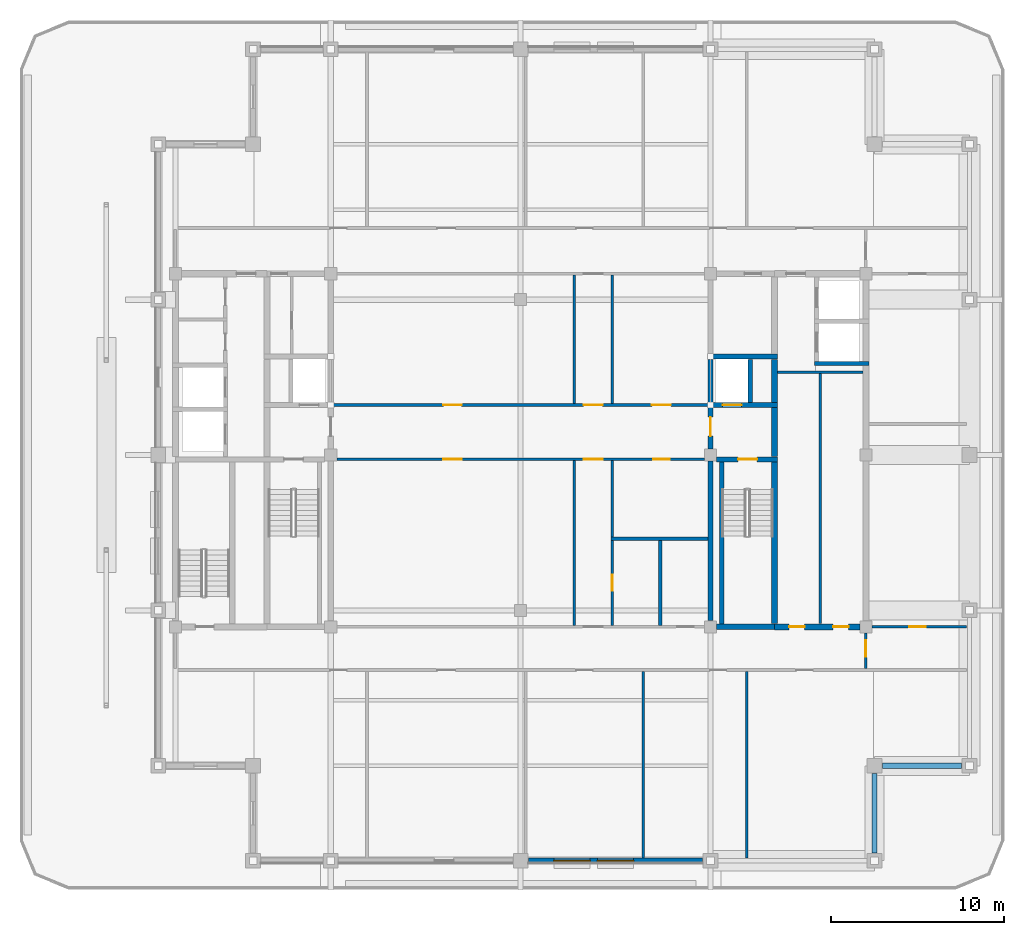
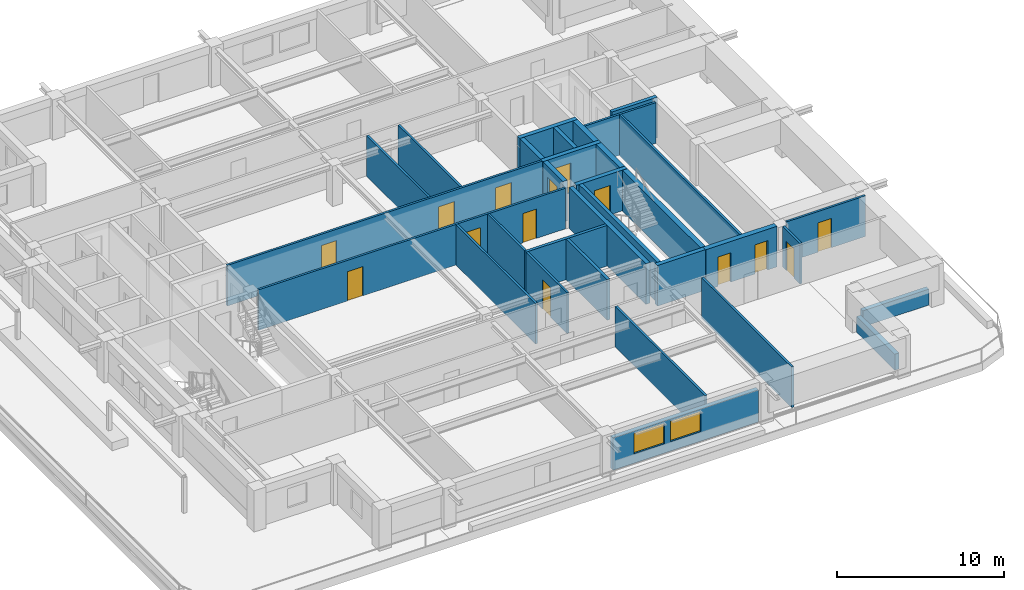
# One storey, part 7 of 14: 32 walls, 14 doors, 2 windows, 16 openings.
"""IFC4 building model written with IfcOpenShell, lengths in metres."""

from ifc_helpers import new_model, si_unit, direction, frame, frame_2d, origin, place, context, subcontext, project, spatial, rectangle, extrude, material, layer, layer_set, type_object, element, fill, save


model = new_model("IFC4")

# Units and contexts
model_context = context("Model", 3, precision=1e-05, world=origin(), true_north=direction((0.0, 1.0)))
body_context = subcontext(model_context, "Body", "Model", "MODEL_VIEW")
ifc_project = project(units=[si_unit("LENGTHUNIT", "METRE"), si_unit("AREAUNIT", "SQUARE_METRE"), si_unit("VOLUMEUNIT", "CUBIC_METRE"), si_unit("PLANEANGLEUNIT", "RADIAN"), si_unit("MASSUNIT", "GRAM", prefix="KILO")], contexts=[model_context])

# Site, building, storey
site_placement = place(None, origin())
site = spatial("IfcSite", under=ifc_project, at=site_placement, CompositionType="ELEMENT")
building_placement = place(site_placement, origin())
building = spatial("IfcBuilding", under=site, at=building_placement, Name="Zulmaris Gate Convention Tower", CompositionType="ELEMENT")
storey_placement = place(building_placement, frame((0.0, 0.0, 226.820068359375)))
storey = spatial("IfcBuildingStorey", under=building, at=storey_placement, Name="L59", CompositionType="ELEMENT", Elevation=226.820068359375)

# Walls
ifc_material_1 = material(Name="Concrete C50/60", Category="concrete")
ifc_layer_1 = layer(ifc_material_1, 0.25, Name="Concrete C50/60")
ifc_layer_set_1 = layer_set([ifc_layer_1], Name="Concrete C50/60")
wall_type_1 = type_object("IfcWallType", Name="CORE-250", PredefinedType="SOLIDWALL", material=ifc_layer_set_1)
wall_1_placement = place(storey_placement, frame((17.02490234375, 5.300048828125, 0.0), z_axis=(0.0, 0.0, 1.0), x_axis=(1.0, 0.0, 0.0)))
element("IfcWall", 1, at=wall_1_placement, inside=storey, type_object=wall_type_1, Name="WL-L59-011", PredefinedType="SOLIDWALL", context=body_context, shape_type="SweptSolid", body=[
    extrude(rectangle(XDim=3.150146484375, YDim=0.25, at=frame_2d((1.5751953125, 0.0))), origin(), (0.0, 0.0, 1.0), 2.97998046875),
])
wall_2_placement = place(storey_placement, frame((11.64990234375, -9.798095703125, 0.0), z_axis=(0.0, 0.0, 1.0), x_axis=(0.0, 1.0, 0.0)))
element("IfcWall", 2, at=wall_2_placement, inside=storey, type_object=wall_type_1, Name="WL-L59-052", PredefinedType="SOLIDWALL", context=body_context, shape_type="SweptSolid", body=[
    extrude(rectangle(XDim=9.39599609375, YDim=0.25, at=frame_2d((4.697998046875, 0.0))), origin(), (0.0, 0.0, 1.0), 2.97998046875),
])
wall_3_placement = place(storey_placement, frame((13.300048828125, 3.052001953125, 0.0), z_axis=(0.0, 0.0, 1.0), x_axis=(0.0, 1.0, 0.0)))
element("IfcWall", 3, at=wall_3_placement, inside=storey, type_object=wall_type_1, Name="WL-L59-053", PredefinedType="SOLIDWALL", context=body_context, shape_type="SweptSolid", body=[
    extrude(rectangle(XDim=2.49609375, YDim=0.25, at=frame_2d((1.248046875, 0.0))), origin(), (0.0, 0.0, 1.0), 2.97998046875),
])
ifc_layer_2 = layer(ifc_material_1, 0.300048828125, Name="Concrete C50/60")
ifc_layer_set_2 = layer_set([ifc_layer_2], Name="Concrete C50/60")
wall_type_2 = type_object("IfcWallType", Name="CORE-300", PredefinedType="SHEAR", material=ifc_layer_set_2)
wall_4_placement = place(storey_placement, frame((11.35400390625, -9.949951171875, 0.0), z_axis=(0.0, 0.0, 1.0), x_axis=(1.0, 0.0, 0.0)))
element("IfcWall", 4, at=wall_4_placement, inside=storey, type_object=wall_type_2, Name="WL-L59-003", PredefinedType="SHEAR", context=body_context, shape_type="SweptSolid", body=[
    extrude(rectangle(XDim=3.345947265625, YDim=0.300048828125, at=frame_2d((1.6728515625, 0.0))), origin(), (0.0, 0.0, 1.0), 2.97998046875),
])

# Wall, opening, door
wall_5_placement = place(storey_placement, frame((11.35400390625, -0.25, 0.0), z_axis=(0.0, 0.0, 1.0), x_axis=(1.0, 0.0, 0.0)))
wall_5 = element("IfcWall", 5, at=wall_5_placement, inside=storey, type_object=wall_type_2, Name="WL-L59-006", PredefinedType="SHEAR", context=body_context, shape_type="SweptSolid", body=[
    extrude(rectangle(XDim=3.52099609375, YDim=0.300048828125, at=frame_2d((1.760498046875, 0.0))), origin(), (0.0, 0.0, 1.0), 2.97998046875),
])
opening_1_placement = place(wall_5_placement, frame((1.24609375, 0.0, 0.0)))
opening_1 = element("IfcOpeningElement", 6, at=opening_1_placement, cuts=wall_5, Name="Opening D-08", PredefinedType="OPENING", context=body_context, shape_type="SweptSolid", body=[
    extrude(rectangle(XDim=1.10009765625, YDim=2.14990234375, at=frame_2d((0.550048828125, 1.074951171875))), frame((0.0, 0.16015625, 0.0), z_axis=(0.0, -1.0, 0.0), x_axis=(1.0, 0.0, 0.0)), (0.0, 0.0, 1.0), 0.320068359375),
])
ifc_material_2 = material(Name="Fire-Rated Steel", Category="steel")
door_type_1 = type_object("IfcDoorType", Name="DR-1100-FD", OperationType="NOTDEFINED", PredefinedType="DOOR", material=ifc_material_2)
door_1_placement = place(opening_1_placement, origin())
door_1 = element("IfcDoor", 7, at=door_1_placement, inside=storey, type_object=door_type_1, Name="L59 Exit Stair ST-2 Door 04", OperationType="SINGLE_SWING_LEFT", OverallHeight=2.14990234375, OverallWidth=1.10009765625, PredefinedType="DOOR", context=body_context, shape_type="SweptSolid", body=[
    extrude(rectangle(XDim=1.10009765625, YDim=2.14990234375, at=frame_2d((0.550048828125, 1.074951171875))), frame((0.0, 0.02490234375, 0.0), z_axis=(0.0, -1.0, 0.0), x_axis=(1.0, 0.0, 0.0)), (0.0, 0.0, 1.0), 0.050048828125),
])
fill(opening_1, door_1)

wall_6_placement = place(storey_placement, frame((10.85009765625, 2.89990234375, 0.0), z_axis=(0.0, 0.0, 1.0), x_axis=(1.0, 0.0, 0.0)))
wall_6 = element("IfcWall", 8, at=wall_6_placement, inside=storey, type_object=wall_type_2, Name="WL-L59-009", PredefinedType="SHEAR", context=body_context, shape_type="SweptSolid", body=[
    extrude(rectangle(XDim=4.02490234375, YDim=0.300048828125, at=frame_2d((2.012451171875, 0.0))), origin(), (0.0, 0.0, 1.0), 2.97998046875),
])
opening_2_placement = place(wall_6_placement, frame((0.85009765625, 0.0, 0.0)))
opening_2 = element("IfcOpeningElement", 9, at=opening_2_placement, cuts=wall_6, Name="Opening D-06", PredefinedType="OPENING", context=body_context, shape_type="SweptSolid", body=[
    extrude(rectangle(XDim=1.10009765625, YDim=2.199951171875, at=frame_2d((0.550048828125, 1.10009765625))), frame((0.0, 0.16015625, 0.0), z_axis=(0.0, -1.0, 0.0), x_axis=(1.0, 0.0, 0.0)), (0.0, 0.0, 1.0), 0.320068359375),
])
ifc_material_3 = material(Name="Brushed Stainless Steel", Category="steel")
door_type_2 = type_object("IfcDoorType", Name="LD-1100", OperationType="NOTDEFINED", PredefinedType="DOOR", material=ifc_material_3)
door_2_placement = place(opening_2_placement, origin())
door_2 = element("IfcDoor", 10, at=door_2_placement, inside=storey, type_object=door_type_2, Name="L59 Lift Landing Door LF-02 06", OperationType="SLIDING_TO_RIGHT", OverallHeight=2.199951171875, OverallWidth=1.10009765625, PredefinedType="DOOR", context=body_context, shape_type="SweptSolid", body=[
    extrude(rectangle(XDim=1.10009765625, YDim=2.199951171875, at=frame_2d((0.550048828125, 1.10009765625))), frame((0.0, 0.02490234375, 0.0), z_axis=(0.0, -1.0, 0.0), x_axis=(1.0, 0.0, 0.0)), (0.0, 0.0, 1.0), 0.050048828125),
])
fill(opening_2, door_2)

# Walls
wall_7_placement = place(storey_placement, frame((10.85009765625, 5.699951171875, 0.0), z_axis=(0.0, 0.0, 1.0), x_axis=(1.0, 0.0, 0.0)))
element("IfcWall", 11, at=wall_7_placement, inside=storey, type_object=wall_type_2, Name="WL-L59-013", PredefinedType="SHEAR", context=body_context, shape_type="SweptSolid", body=[
    extrude(rectangle(XDim=4.02490234375, YDim=0.300048828125, at=frame_2d((2.012451171875, 0.0))), origin(), (0.0, 0.0, 1.0), 2.97998046875),
])
wall_8_placement = place(storey_placement, frame((11.0, -9.595947265625, 0.0), z_axis=(0.0, 0.0, 1.0), x_axis=(0.0, 1.0, 0.0)))
element("IfcWall", 12, at=wall_8_placement, inside=storey, type_object=wall_type_2, Name="WL-L59-048", PredefinedType="SHEAR", context=body_context, shape_type="SweptSolid", body=[
    extrude(rectangle(XDim=9.241943359375, YDim=0.300048828125, at=frame_2d((4.62109375, 0.0))), origin(), (0.0, 0.0, 1.0), 2.97998046875),
])

# Wall, opening, door
wall_9_placement = place(storey_placement, frame((11.0, 0.35400390625, 0.0), z_axis=(0.0, 0.0, 1.0), x_axis=(0.0, 1.0, 0.0)))
wall_9 = element("IfcWall", 13, at=wall_9_placement, inside=storey, type_object=wall_type_2, Name="WL-L59-049", PredefinedType="SHEAR", context=body_context, shape_type="SweptSolid", body=[
    extrude(rectangle(XDim=2.39404296875, YDim=0.300048828125, at=frame_2d((1.197021484375, 0.0))), origin(), (0.0, 0.0, 1.0), 2.97998046875),
])
opening_3_placement = place(wall_9_placement, frame((0.74609375, 0.0, 0.0)))
opening_3 = element("IfcOpeningElement", 14, at=opening_3_placement, cuts=wall_9, Name="Opening D-08", PredefinedType="OPENING", context=body_context, shape_type="SweptSolid", body=[
    extrude(rectangle(XDim=1.10009765625, YDim=2.14990234375, at=frame_2d((0.550048828125, 1.074951171875))), frame((0.0, 0.16015625, 0.0), z_axis=(0.0, -1.0, 0.0), x_axis=(1.0, 0.0, 0.0)), (0.0, 0.0, 1.0), 0.320068359375),
])
door_3_placement = place(opening_3_placement, origin())
door_3 = element("IfcDoor", 15, at=door_3_placement, inside=storey, type_object=door_type_1, Name="L59 East Firefighting Lobby Door 05", OperationType="SINGLE_SWING_RIGHT", OverallHeight=2.14990234375, OverallWidth=1.10009765625, PredefinedType="DOOR", context=body_context, shape_type="SweptSolid", body=[
    extrude(rectangle(XDim=1.10009765625, YDim=2.14990234375, at=frame_2d((0.550048828125, 1.074951171875))), frame((0.0, 0.02490234375, 0.0), z_axis=(0.0, -1.0, 0.0), x_axis=(1.0, 0.0, 0.0)), (0.0, 0.0, 1.0), 0.050048828125),
])
fill(opening_3, door_3)

# Wall
wall_10_placement = place(storey_placement, frame((11.0, 3.052001953125, 0.0), z_axis=(0.0, 0.0, 1.0), x_axis=(0.0, 1.0, 0.0)))
element("IfcWall", 16, at=wall_10_placement, inside=storey, type_object=wall_type_2, Name="WL-L59-050", PredefinedType="SHEAR", context=body_context, shape_type="SweptSolid", body=[
    extrude(rectangle(XDim=2.49609375, YDim=0.300048828125, at=frame_2d((1.248046875, 0.0))), origin(), (0.0, 0.0, 1.0), 2.97998046875),
])

# Wall, openings, doors
ifc_material_4 = material(Name="Concrete C55/67", Category="concrete")
ifc_layer_3 = layer(ifc_material_4, 0.35009765625, Name="Concrete C55/67")
ifc_layer_set_3 = layer_set([ifc_layer_3], Name="Concrete C55/67")
wall_type_3 = type_object("IfcWallType", Name="CORE-350", PredefinedType="SHEAR", material=ifc_layer_set_3)
wall_11_placement = place(storey_placement, frame((14.699951171875, -9.949951171875, 0.0), z_axis=(0.0, 0.0, 1.0), x_axis=(1.0, 0.0, 0.0)))
wall_11 = element("IfcWall", 17, at=wall_11_placement, inside=storey, type_object=wall_type_3, Name="WL-L59-004", PredefinedType="SHEAR", context=body_context, shape_type="SweptSolid", body=[
    extrude(rectangle(XDim=4.946044921875, YDim=0.35009765625, at=frame_2d((2.47314453125, 0.0))), origin(), (0.0, 0.0, 1.0), 2.97998046875),
])
opening_4_placement = place(wall_11_placement, frame((0.85009765625, 0.0, 0.0)))
opening_4 = element("IfcOpeningElement", 18, at=opening_4_placement, cuts=wall_11, Name="Opening D-12", PredefinedType="OPENING", context=body_context, shape_type="SweptSolid", body=[
    extrude(rectangle(XDim=0.89990234375, YDim=2.14990234375, at=frame_2d((0.449951171875, 1.074951171875))), frame((0.0, 0.18505859375, 0.0), z_axis=(0.0, -1.0, 0.0), x_axis=(1.0, 0.0, 0.0)), (0.0, 0.0, 1.0), 0.3701171875),
])
opening_5_placement = place(wall_11_placement, frame((3.39990234375, 0.0, 0.0)))
opening_5 = element("IfcOpeningElement", 19, at=opening_5_placement, cuts=wall_11, Name="Opening D-12", PredefinedType="OPENING", context=body_context, shape_type="SweptSolid", body=[
    extrude(rectangle(XDim=0.89990234375, YDim=2.14990234375, at=frame_2d((0.449951171875, 1.074951171875))), frame((0.0, 0.18505859375, 0.0), z_axis=(0.0, -1.0, 0.0), x_axis=(1.0, 0.0, 0.0)), (0.0, 0.0, 1.0), 0.3701171875),
])
ifc_material_5 = material(Name="Fire-Rated Timber", Category="wood")
door_type_3 = type_object("IfcDoorType", Name="DR-900-FD", OperationType="NOTDEFINED", PredefinedType="DOOR", material=ifc_material_5)
door_4_placement = place(opening_4_placement, origin())
door_4 = element("IfcDoor", 20, at=door_4_placement, inside=storey, type_object=door_type_3, Name="L59 Service Pantry Door 19", OperationType="SINGLE_SWING_LEFT", OverallHeight=2.14990234375, OverallWidth=0.89990234375, PredefinedType="DOOR", context=body_context, shape_type="SweptSolid", body=[
    extrude(rectangle(XDim=0.89990234375, YDim=2.14990234375, at=frame_2d((0.449951171875, 1.074951171875))), frame((0.0, 0.02490234375, 0.0), z_axis=(0.0, -1.0, 0.0), x_axis=(1.0, 0.0, 0.0)), (0.0, 0.0, 1.0), 0.050048828125),
])
fill(opening_4, door_4)
door_5_placement = place(opening_5_placement, origin())
door_5 = element("IfcDoor", 21, at=door_5_placement, inside=storey, type_object=door_type_3, Name="L59 Linen Store Door 20", OperationType="SINGLE_SWING_RIGHT", OverallHeight=2.14990234375, OverallWidth=0.89990234375, PredefinedType="DOOR", context=body_context, shape_type="SweptSolid", body=[
    extrude(rectangle(XDim=0.89990234375, YDim=2.14990234375, at=frame_2d((0.449951171875, 1.074951171875))), frame((0.0, 0.02490234375, 0.0), z_axis=(0.0, -1.0, 0.0), x_axis=(1.0, 0.0, 0.0)), (0.0, 0.0, 1.0), 0.050048828125),
])
fill(opening_5, door_5)

# Walls
wall_12_placement = place(storey_placement, frame((14.699951171875, -9.77294921875, 0.0), z_axis=(0.0, 0.0, 1.0), x_axis=(0.0, 1.0, 0.0)))
element("IfcWall", 22, at=wall_12_placement, inside=storey, type_object=wall_type_3, Name="WL-L59-054", PredefinedType="SHEAR", context=body_context, shape_type="SweptSolid", body=[
    extrude(rectangle(XDim=9.370849609375, YDim=0.35009765625, at=frame_2d((4.685546875, 0.0))), origin(), (0.0, 0.0, 1.0), 2.97998046875),
])
wall_13_placement = place(storey_placement, frame((14.699951171875, -0.097900390625, 0.0), z_axis=(0.0, 0.0, 1.0), x_axis=(0.0, 1.0, 0.0)))
element("IfcWall", 23, at=wall_13_placement, inside=storey, type_object=wall_type_3, Name="WL-L59-055", PredefinedType="SHEAR", context=body_context, shape_type="SweptSolid", body=[
    extrude(rectangle(XDim=2.845947265625, YDim=0.35009765625, at=frame_2d((1.4228515625, 0.0))), origin(), (0.0, 0.0, 1.0), 2.97998046875),
])
wall_14_placement = place(storey_placement, frame((14.699951171875, 3.052001953125, 0.0), z_axis=(0.0, 0.0, 1.0), x_axis=(0.0, 1.0, 0.0)))
element("IfcWall", 24, at=wall_14_placement, inside=storey, type_object=wall_type_3, Name="WL-L59-056", PredefinedType="SHEAR", context=body_context, shape_type="SweptSolid", body=[
    extrude(rectangle(XDim=2.49609375, YDim=0.35009765625, at=frame_2d((1.248046875, 0.0))), origin(), (0.0, 0.0, 1.0), 2.97998046875),
])

# Wall, opening, door
ifc_material_6 = material(Name="Gypsum Metal Stud Partition")
ifc_layer_4 = layer(ifc_material_6, 0.14990234375, Name="Gypsum Metal Stud Partition")
ifc_layer_set_4 = layer_set([ifc_layer_4], Name="Gypsum Metal Stud Partition")
wall_type_4 = type_object("IfcWallType", Name="PART-150", PredefinedType="PARTITIONING", material=ifc_layer_set_4)
wall_15_placement = place(storey_placement, frame((20.35595703125, -9.949951171875, 0.0), z_axis=(0.0, 0.0, 1.0), x_axis=(1.0, 0.0, 0.0)))
wall_15 = element("IfcWall", 25, at=wall_15_placement, inside=storey, type_object=wall_type_4, Name="WL-L59-021", PredefinedType="PARTITIONING", context=body_context, shape_type="SweptSolid", body=[
    extrude(rectangle(XDim=5.47900390625, YDim=0.14990234375, at=frame_2d((2.739501953125, 0.0))), origin(), (0.0, 0.0, 1.0), 2.97998046875),
])
opening_6_placement = place(wall_15_placement, frame((2.1689453125, 0.0, 0.0)))
opening_6 = element("IfcOpeningElement", 26, at=opening_6_placement, cuts=wall_15, Name="Opening D-11", PredefinedType="OPENING", context=body_context, shape_type="SweptSolid", body=[
    extrude(rectangle(XDim=0.949951171875, YDim=2.14990234375, at=frame_2d((0.47509765625, 1.074951171875))), frame((0.0, 0.0849609375, 0.0), z_axis=(0.0, -1.0, 0.0), x_axis=(1.0, 0.0, 0.0)), (0.0, 0.0, 1.0), 0.169921875),
])
door_type_4 = type_object("IfcDoorType", Name="DR-950-FD", OperationType="NOTDEFINED", PredefinedType="DOOR", material=ifc_material_5)
door_6_placement = place(opening_6_placement, origin())
door_6 = element("IfcDoor", 27, at=door_6_placement, inside=storey, type_object=door_type_4, Name="L59 SE Partner Door 44", OperationType="SINGLE_SWING_RIGHT", OverallHeight=2.14990234375, OverallWidth=0.949951171875, PredefinedType="DOOR", context=body_context, shape_type="SweptSolid", body=[
    extrude(rectangle(XDim=0.949951171875, YDim=2.14990234375, at=frame_2d((0.47509765625, 1.074951171875))), frame((0.0, 0.02490234375, 0.0), z_axis=(0.0, -1.0, 0.0), x_axis=(1.0, 0.0, 0.0)), (0.0, 0.0, 1.0), 0.050048828125),
])
fill(opening_6, door_6)

# Wall, openings, doors
wall_16_placement = place(storey_placement, frame((-10.64404296875, -0.25, 0.0), z_axis=(0.0, 0.0, 1.0), x_axis=(1.0, 0.0, 0.0)))
wall_16 = element("IfcWall", 28, at=wall_16_placement, inside=storey, type_object=wall_type_4, Name="WL-L59-023", PredefinedType="PARTITIONING", context=body_context, shape_type="SweptSolid", body=[
    extrude(rectangle(XDim=21.2880859375, YDim=0.14990234375, at=frame_2d((10.64404296875, 0.0))), origin(), (0.0, 0.0, 1.0), 2.97998046875),
])
opening_7_placement = place(wall_16_placement, frame((14.2939453125, 0.0, 0.0)))
opening_7 = element("IfcOpeningElement", 29, at=opening_7_placement, cuts=wall_16, Name="Opening D-08", PredefinedType="OPENING", context=body_context, shape_type="SweptSolid", body=[
    extrude(rectangle(XDim=1.10009765625, YDim=2.14990234375, at=frame_2d((0.550048828125, 1.074951171875))), frame((0.0, 0.0849609375, 0.0), z_axis=(0.0, -1.0, 0.0), x_axis=(1.0, 0.0, 0.0)), (0.0, 0.0, 1.0), 0.169921875),
])
opening_8_placement = place(wall_16_placement, frame((6.1689453125, 0.0, 0.0)))
opening_8 = element("IfcOpeningElement", 30, at=opening_8_placement, cuts=wall_16, Name="Opening D-09", PredefinedType="OPENING", context=body_context, shape_type="SweptSolid", body=[
    extrude(rectangle(XDim=1.050048828125, YDim=2.14990234375, at=frame_2d((0.52490234375, 1.074951171875))), frame((0.0, 0.0849609375, 0.0), z_axis=(0.0, -1.0, 0.0), x_axis=(1.0, 0.0, 0.0)), (0.0, 0.0, 1.0), 0.169921875),
])
opening_9_placement = place(wall_16_placement, frame((18.319091796875, 0.0, 0.0)))
opening_9 = element("IfcOpeningElement", 31, at=opening_9_placement, cuts=wall_16, Name="Opening D-11", PredefinedType="OPENING", context=body_context, shape_type="SweptSolid", body=[
    extrude(rectangle(XDim=0.949951171875, YDim=2.14990234375, at=frame_2d((0.47509765625, 1.074951171875))), frame((0.0, 0.0849609375, 0.0), z_axis=(0.0, -1.0, 0.0), x_axis=(1.0, 0.0, 0.0)), (0.0, 0.0, 1.0), 0.169921875),
])
door_type_5 = type_object("IfcDoorType", Name="DR-1050-FD", OperationType="NOTDEFINED", PredefinedType="DOOR", material=ifc_material_2)
door_7_placement = place(opening_8_placement, origin())
door_7 = element("IfcDoor", 32, at=door_7_placement, inside=storey, type_object=door_type_5, Name="L59 Sky Library Door 37", OperationType="SINGLE_SWING_LEFT", OverallHeight=2.14990234375, OverallWidth=1.050048828125, PredefinedType="DOOR", context=body_context, shape_type="SweptSolid", body=[
    extrude(rectangle(XDim=1.050048828125, YDim=2.14990234375, at=frame_2d((0.52490234375, 1.074951171875))), frame((0.0, 0.02490234375, 0.0), z_axis=(0.0, -1.0, 0.0), x_axis=(1.0, 0.0, 0.0)), (0.0, 0.0, 1.0), 0.050048828125),
])
fill(opening_8, door_7)
door_8_placement = place(opening_7_placement, origin())
door_8 = element("IfcDoor", 33, at=door_8_placement, inside=storey, type_object=door_type_1, Name="L59 Exec Cross South Door 24", OperationType="SINGLE_SWING_RIGHT", OverallHeight=2.14990234375, OverallWidth=1.10009765625, PredefinedType="DOOR", context=body_context, shape_type="SweptSolid", body=[
    extrude(rectangle(XDim=1.10009765625, YDim=2.14990234375, at=frame_2d((0.550048828125, 1.074951171875))), frame((0.0, 0.02490234375, 0.0), z_axis=(0.0, -1.0, 0.0), x_axis=(1.0, 0.0, 0.0)), (0.0, 0.0, 1.0), 0.050048828125),
])
fill(opening_7, door_8)
door_9_placement = place(opening_9_placement, origin())
door_9 = element("IfcDoor", 34, at=door_9_placement, inside=storey, type_object=door_type_4, Name="L59 Public WC Door 38", OperationType="SINGLE_SWING_RIGHT", OverallHeight=2.14990234375, OverallWidth=0.949951171875, PredefinedType="DOOR", context=body_context, shape_type="SweptSolid", body=[
    extrude(rectangle(XDim=0.949951171875, YDim=2.14990234375, at=frame_2d((0.47509765625, 1.074951171875))), frame((0.0, 0.02490234375, 0.0), z_axis=(0.0, -1.0, 0.0), x_axis=(1.0, 0.0, 0.0)), (0.0, 0.0, 1.0), 0.050048828125),
])
fill(opening_9, door_9)

wall_17_placement = place(storey_placement, frame((-11.0, 2.89990234375, 0.0), z_axis=(0.0, 0.0, 1.0), x_axis=(1.0, 0.0, 0.0)))
wall_17 = element("IfcWall", 35, at=wall_17_placement, inside=storey, type_object=wall_type_4, Name="WL-L59-025", PredefinedType="PARTITIONING", context=body_context, shape_type="SweptSolid", body=[
    extrude(rectangle(XDim=22.0, YDim=0.14990234375, at=frame_2d((11.0, 0.0))), origin(), (0.0, 0.0, 1.0), 2.97998046875),
])
opening_10_placement = place(wall_17_placement, frame((14.64990234375, 0.0, 0.0)))
opening_10 = element("IfcOpeningElement", 36, at=opening_10_placement, cuts=wall_17, Name="Opening D-08", PredefinedType="OPENING", context=body_context, shape_type="SweptSolid", body=[
    extrude(rectangle(XDim=1.10009765625, YDim=2.14990234375, at=frame_2d((0.550048828125, 1.074951171875))), frame((0.0, 0.0849609375, 0.0), z_axis=(0.0, -1.0, 0.0), x_axis=(1.0, 0.0, 0.0)), (0.0, 0.0, 1.0), 0.169921875),
])
opening_11_placement = place(wall_17_placement, frame((6.52490234375, 0.0, 0.0)))
opening_11 = element("IfcOpeningElement", 37, at=opening_11_placement, cuts=wall_17, Name="Opening D-09", PredefinedType="OPENING", context=body_context, shape_type="SweptSolid", body=[
    extrude(rectangle(XDim=1.050048828125, YDim=2.14990234375, at=frame_2d((0.52490234375, 1.074951171875))), frame((0.0, 0.0849609375, 0.0), z_axis=(0.0, -1.0, 0.0), x_axis=(1.0, 0.0, 0.0)), (0.0, 0.0, 1.0), 0.169921875),
])
opening_12_placement = place(wall_17_placement, frame((18.60009765625, 0.0, 0.0)))
opening_12 = element("IfcOpeningElement", 38, at=opening_12_placement, cuts=wall_17, Name="Opening D-08", PredefinedType="OPENING", context=body_context, shape_type="SweptSolid", body=[
    extrude(rectangle(XDim=1.10009765625, YDim=2.14990234375, at=frame_2d((0.550048828125, 1.074951171875))), frame((0.0, 0.0849609375, 0.0), z_axis=(0.0, -1.0, 0.0), x_axis=(1.0, 0.0, 0.0)), (0.0, 0.0, 1.0), 0.169921875),
])
door_10_placement = place(opening_11_placement, origin())
door_10 = element("IfcDoor", 39, at=door_10_placement, inside=storey, type_object=door_type_5, Name="L59 Reception Door 35", OperationType="SINGLE_SWING_LEFT", OverallHeight=2.14990234375, OverallWidth=1.050048828125, PredefinedType="DOOR", context=body_context, shape_type="SweptSolid", body=[
    extrude(rectangle(XDim=1.050048828125, YDim=2.14990234375, at=frame_2d((0.52490234375, 1.074951171875))), frame((0.0, 0.02490234375, 0.0), z_axis=(0.0, -1.0, 0.0), x_axis=(1.0, 0.0, 0.0)), (0.0, 0.0, 1.0), 0.050048828125),
])
fill(opening_11, door_10)
door_11_placement = place(opening_10_placement, origin())
door_11 = element("IfcDoor", 40, at=door_11_placement, inside=storey, type_object=door_type_1, Name="L59 Exec Cross North Door 23", OperationType="SINGLE_SWING_LEFT", OverallHeight=2.14990234375, OverallWidth=1.10009765625, PredefinedType="DOOR", context=body_context, shape_type="SweptSolid", body=[
    extrude(rectangle(XDim=1.10009765625, YDim=2.14990234375, at=frame_2d((0.550048828125, 1.074951171875))), frame((0.0, 0.02490234375, 0.0), z_axis=(0.0, -1.0, 0.0), x_axis=(1.0, 0.0, 0.0)), (0.0, 0.0, 1.0), 0.050048828125),
])
fill(opening_10, door_11)
door_12_placement = place(opening_12_placement, origin())
door_12 = element("IfcDoor", 41, at=door_12_placement, inside=storey, type_object=door_type_1, Name="L59 Townhall Forum Door 36", OperationType="SINGLE_SWING_RIGHT", OverallHeight=2.14990234375, OverallWidth=1.10009765625, PredefinedType="DOOR", context=body_context, shape_type="SweptSolid", body=[
    extrude(rectangle(XDim=1.10009765625, YDim=2.14990234375, at=frame_2d((0.550048828125, 1.074951171875))), frame((0.0, 0.02490234375, 0.0), z_axis=(0.0, -1.0, 0.0), x_axis=(1.0, 0.0, 0.0)), (0.0, 0.0, 1.0), 0.050048828125),
])
fill(opening_12, door_12)

# Walls
wall_18_placement = place(storey_placement, frame((14.8779296875, 4.800048828125, 0.0), z_axis=(0.0, 0.0, 1.0), x_axis=(1.0, 0.0, 0.0)))
element("IfcWall", 42, at=wall_18_placement, inside=storey, type_object=wall_type_4, Name="WL-L59-026", PredefinedType="PARTITIONING", context=body_context, shape_type="SweptSolid", body=[
    extrude(rectangle(XDim=4.944091796875, YDim=0.14990234375, at=frame_2d((2.47216796875, 0.0))), origin(), (0.0, 0.0, 1.0), 2.97998046875),
])
wall_19_placement = place(storey_placement, frame((3.10009765625, -9.8720703125, 0.0), z_axis=(0.0, 0.0, 1.0), x_axis=(0.0, 1.0, 0.0)))
element("IfcWall", 43, at=wall_19_placement, inside=storey, type_object=wall_type_4, Name="WL-L59-072", PredefinedType="PARTITIONING", context=body_context, shape_type="SweptSolid", body=[
    extrude(rectangle(XDim=9.544189453125, YDim=0.14990234375, at=frame_2d((4.77197265625, 0.0))), origin(), (0.0, 0.0, 1.0), 2.97998046875),
])
wall_20_placement = place(storey_placement, frame((3.10009765625, 2.97802734375, 0.0), z_axis=(0.0, 0.0, 1.0), x_axis=(0.0, 1.0, 0.0)))
element("IfcWall", 44, at=wall_20_placement, inside=storey, type_object=wall_type_4, Name="WL-L59-073", PredefinedType="PARTITIONING", context=body_context, shape_type="SweptSolid", body=[
    extrude(rectangle(XDim=7.444091796875, YDim=0.14990234375, at=frame_2d((3.72216796875, 0.0))), origin(), (0.0, 0.0, 1.0), 2.97998046875),
])

# Wall, opening, door
wall_21_placement = place(storey_placement, frame((5.300048828125, -9.8720703125, 0.0), z_axis=(0.0, 0.0, 1.0), x_axis=(0.0, 1.0, 0.0)))
wall_21 = element("IfcWall", 45, at=wall_21_placement, inside=storey, type_object=wall_type_4, Name="WL-L59-074", PredefinedType="PARTITIONING", context=body_context, shape_type="SweptSolid", body=[
    extrude(rectangle(XDim=4.919189453125, YDim=0.14990234375, at=frame_2d((2.45947265625, 0.0))), origin(), (0.0, 0.0, 1.0), 2.97998046875),
])
opening_13_placement = place(wall_21_placement, frame((1.9970703125, 0.0, 0.0)))
opening_13 = element("IfcOpeningElement", 46, at=opening_13_placement, cuts=wall_21, Name="Opening D-11", PredefinedType="OPENING", context=body_context, shape_type="SweptSolid", body=[
    extrude(rectangle(XDim=0.949951171875, YDim=2.14990234375, at=frame_2d((0.47509765625, 1.074951171875))), frame((0.0, 0.0849609375, 0.0), z_axis=(0.0, -1.0, 0.0), x_axis=(1.0, 0.0, 0.0)), (0.0, 0.0, 1.0), 0.169921875),
])
door_13_placement = place(opening_13_placement, origin())
door_13 = element("IfcDoor", 47, at=door_13_placement, inside=storey, type_object=door_type_4, Name="L59 Accessible WC Door 39", OperationType="SINGLE_SWING_LEFT", OverallHeight=2.14990234375, OverallWidth=0.949951171875, PredefinedType="DOOR", context=body_context, shape_type="SweptSolid", body=[
    extrude(rectangle(XDim=0.949951171875, YDim=2.14990234375, at=frame_2d((0.47509765625, 1.074951171875))), frame((0.0, 0.02490234375, 0.0), z_axis=(0.0, -1.0, 0.0), x_axis=(1.0, 0.0, 0.0)), (0.0, 0.0, 1.0), 0.050048828125),
])
fill(opening_13, door_13)

# Walls
wall_22_placement = place(storey_placement, frame((5.300048828125, -4.7470703125, 0.0), z_axis=(0.0, 0.0, 1.0), x_axis=(0.0, 1.0, 0.0)))
element("IfcWall", 48, at=wall_22_placement, inside=storey, type_object=wall_type_4, Name="WL-L59-075", PredefinedType="PARTITIONING", context=body_context, shape_type="SweptSolid", body=[
    extrude(rectangle(XDim=4.419189453125, YDim=0.14990234375, at=frame_2d((2.20947265625, 0.0))), origin(), (0.0, 0.0, 1.0), 2.97998046875),
])
wall_23_placement = place(storey_placement, frame((5.300048828125, 2.97802734375, 0.0), z_axis=(0.0, 0.0, 1.0), x_axis=(0.0, 1.0, 0.0)))
element("IfcWall", 49, at=wall_23_placement, inside=storey, type_object=wall_type_4, Name="WL-L59-076", PredefinedType="PARTITIONING", context=body_context, shape_type="SweptSolid", body=[
    extrude(rectangle(XDim=7.444091796875, YDim=0.14990234375, at=frame_2d((3.72216796875, 0.0))), origin(), (0.0, 0.0, 1.0), 2.97998046875),
])
for number, where, z_axis, x_axis, name in (
    (50, (7.10009765625, -23.3349609375, 0.0), (0.0, 0.0, 1.0), (0.0, 1.0, 0.0), "WL-L59-077"),
    (51, (13.10009765625, -23.3349609375, 0.0), (0.0, 0.0, 1.0), (0.0, 1.0, 0.0), "WL-L59-080"),
):
    element("IfcWall", number, at=place(storey_placement, frame(where, z_axis=z_axis, x_axis=x_axis)), inside=storey, type_object=wall_type_4, Name=name, PredefinedType="PARTITIONING", context=body_context, shape_type="SweptSolid", body=[
        extrude(rectangle(XDim=10.806884765625, YDim=0.14990234375, at=frame_2d((5.4033203125, 0.0))), origin(), (0.0, 0.0, 1.0), 2.97998046875),
    ])
wall_24_placement = place(storey_placement, frame((17.35009765625, -9.77197265625, 0.0), z_axis=(0.0, 0.0, 1.0), x_axis=(0.0, 1.0, 0.0)))
element("IfcWall", 52, at=wall_24_placement, inside=storey, type_object=wall_type_4, Name="WL-L59-082", PredefinedType="PARTITIONING", context=body_context, shape_type="SweptSolid", body=[
    extrude(rectangle(XDim=14.493896484375, YDim=0.14990234375, at=frame_2d((7.2470703125, 0.0))), origin(), (0.0, 0.0, 1.0), 2.97998046875),
])

# Wall, opening, door
wall_25_placement = place(storey_placement, frame((20.0, -12.3720703125, 0.0), z_axis=(0.0, 0.0, 1.0), x_axis=(0.0, 1.0, 0.0)))
wall_25 = element("IfcWall", 53, at=wall_25_placement, inside=storey, type_object=wall_type_4, Name="WL-L59-083", PredefinedType="PARTITIONING", context=body_context, shape_type="SweptSolid", body=[
    extrude(rectangle(XDim=2.066162109375, YDim=0.14990234375, at=frame_2d((1.033203125, 0.0))), origin(), (0.0, 0.0, 1.0), 2.97998046875),
])
opening_14_placement = place(wall_25_placement, frame((0.697021484375, 0.0, 0.0)))
opening_14 = element("IfcOpeningElement", 54, at=opening_14_placement, cuts=wall_25, Name="Opening D-11", PredefinedType="OPENING", context=body_context, shape_type="SweptSolid", body=[
    extrude(rectangle(XDim=0.949951171875, YDim=2.14990234375, at=frame_2d((0.47509765625, 1.074951171875))), frame((0.0, 0.0849609375, 0.0), z_axis=(0.0, -1.0, 0.0), x_axis=(1.0, 0.0, 0.0)), (0.0, 0.0, 1.0), 0.169921875),
])
door_14_placement = place(opening_14_placement, origin())
door_14 = element("IfcDoor", 55, at=door_14_placement, inside=storey, type_object=door_type_4, Name="L59 SE Spur Door 42", OperationType="SINGLE_SWING_RIGHT", OverallHeight=2.14990234375, OverallWidth=0.949951171875, PredefinedType="DOOR", context=body_context, shape_type="SweptSolid", body=[
    extrude(rectangle(XDim=0.949951171875, YDim=2.14990234375, at=frame_2d((0.47509765625, 1.074951171875))), frame((0.0, 0.02490234375, 0.0), z_axis=(0.0, -1.0, 0.0), x_axis=(1.0, 0.0, 0.0)), (0.0, 0.0, 1.0), 0.050048828125),
])
fill(opening_14, door_14)

# Walls
ifc_material_7 = material(Name="Autoclaved Aerated Concrete Block and Plasterboard", Category="concrete")
ifc_layer_5 = layer(ifc_material_7, 0.199951171875, Name="Autoclaved Aerated Concrete Block and Plasterboard")
ifc_layer_set_5 = layer_set([ifc_layer_5], Name="Autoclaved Aerated Concrete Block and Plasterboard")
wall_type_5 = type_object("IfcWallType", Name="PART-200", PredefinedType="PARTITIONING", material=ifc_layer_set_5)
wall_26_placement = place(storey_placement, frame((5.22509765625, -4.85009765625, 0.0), z_axis=(0.0, 0.0, 1.0), x_axis=(1.0, 0.0, 0.0)))
element("IfcWall", 56, at=wall_26_placement, inside=storey, type_object=wall_type_5, Name="WL-L59-022", PredefinedType="PARTITIONING", context=body_context, shape_type="SweptSolid", body=[
    extrude(rectangle(XDim=5.621826171875, YDim=0.199951171875, at=frame_2d((2.81103515625, 0.0))), origin(), (0.0, 0.0, 1.0), 2.97998046875),
])
wall_27_placement = place(storey_placement, frame((8.10009765625, -9.8720703125, 0.0), z_axis=(0.0, 0.0, 1.0), x_axis=(0.0, 1.0, 0.0)))
element("IfcWall", 57, at=wall_27_placement, inside=storey, type_object=wall_type_5, Name="WL-L59-079", PredefinedType="PARTITIONING", context=body_context, shape_type="SweptSolid", body=[
    extrude(rectangle(XDim=4.919189453125, YDim=0.199951171875, at=frame_2d((2.45947265625, 0.0))), origin(), (0.0, 0.0, 1.0), 2.97998046875),
])
ifc_material_8 = material(Name="Precast concrete C40/50", Category="concrete")
ifc_layer_6 = layer(ifc_material_8, 0.300048828125, Name="Precast concrete C40/50")
ifc_layer_set_6 = layer_set([ifc_layer_6], Name="Precast concrete C40/50")
wall_type_6 = type_object("IfcWallType", Name="PRECAST-PIER-300", PredefinedType="STANDARD", material=ifc_layer_set_6)
for number, where, z_axis, x_axis, name in (
    (58, (20.5, -23.044921875, 0.0), (0.0, 0.0, 1.0), (0.0, 1.0, 0.0), "EW-L59-NOTCH-SE1_0"),
    (59, (20.955078125, -18.0, 0.0), (0.0, 0.0, 1.0), (1.0, 0.0, 0.0), "EW-L59-NOTCH-SE2_0"),
):
    element("IfcWall", number, at=place(storey_placement, frame(where, z_axis=z_axis, x_axis=x_axis)), inside=storey, type_object=wall_type_6, Name=name, PredefinedType="STANDARD", context=body_context, shape_type="SweptSolid", body=[
        extrude(rectangle(XDim=4.58984375, YDim=0.300048828125, at=frame_2d((2.294921875, 0.0))), origin(), (0.0, 0.0, 1.0), 1.171875),
    ])

# Wall, openings, windows
wall_28_placement = place(storey_placement, frame((0.455078125, -23.5, 0.0), z_axis=(0.0, 0.0, 1.0), x_axis=(1.0, 0.0, 0.0)))
wall_28 = element("IfcWall", 60, at=wall_28_placement, inside=storey, type_object=wall_type_6, Name="EW-L59-S-2_0", PredefinedType="STANDARD", context=body_context, shape_type="SweptSolid", body=[
    extrude(rectangle(XDim=10.08984375, YDim=0.300048828125, at=frame_2d((5.044921875, 0.0))), origin(), (0.0, 0.0, 1.0), 2.371826171875),
])
opening_15_placement = place(wall_28_placement, frame((1.471923828125, 0.0, 0.699951171875)))
opening_15 = element("IfcOpeningElement", 61, at=opening_15_placement, cuts=wall_28, Name="Opening W-05", PredefinedType="OPENING", context=body_context, shape_type="SweptSolid", body=[
    extrude(rectangle(XDim=2.10009765625, YDim=1.5, at=frame_2d((1.050048828125, 0.75))), frame((0.0, 0.16015625, 0.0), z_axis=(0.0, -1.0, 0.0), x_axis=(1.0, 0.0, 0.0)), (0.0, 0.0, 1.0), 0.320068359375),
])
opening_16_placement = place(wall_28_placement, frame((3.9951171875, 0.0, 0.699951171875)))
opening_16 = element("IfcOpeningElement", 62, at=opening_16_placement, cuts=wall_28, Name="Opening W-05", PredefinedType="OPENING", context=body_context, shape_type="SweptSolid", body=[
    extrude(rectangle(XDim=2.10009765625, YDim=1.5, at=frame_2d((1.050048828125, 0.75))), frame((0.0, 0.16015625, 0.0), z_axis=(0.0, -1.0, 0.0), x_axis=(1.0, 0.0, 0.0)), (0.0, 0.0, 1.0), 0.320068359375),
])
ifc_material_9 = material(Name="Low-E Laminated Double Glazing in Aluminium Frame", Category="aluminium")
window_type = type_object("IfcWindowType", Name="WIN-2100x2400", PartitioningType="SINGLE_PANEL", PredefinedType="WINDOW", material=ifc_material_9)
window_1_placement = place(opening_15_placement, origin())
window_1 = element("IfcWindow", 63, at=window_1_placement, inside=storey, type_object=window_type, Name="WN-EW-L59-S-2_0-1", OverallHeight=1.5, OverallWidth=2.10009765625, PartitioningType="SINGLE_PANEL", PredefinedType="WINDOW", context=body_context, shape_type="SweptSolid", body=[
    extrude(rectangle(XDim=2.10009765625, YDim=1.5, at=frame_2d((1.050048828125, 0.75))), frame((0.0, 0.030029296875, 0.0), z_axis=(0.0, -1.0, 0.0), x_axis=(1.0, 0.0, 0.0)), (0.0, 0.0, 1.0), 0.06005859375),
])
fill(opening_15, window_1)
window_2_placement = place(opening_16_placement, origin())
window_2 = element("IfcWindow", 64, at=window_2_placement, inside=storey, type_object=window_type, Name="WN-EW-L59-S-2_0-2", OverallHeight=1.5, OverallWidth=2.10009765625, PartitioningType="SINGLE_PANEL", PredefinedType="WINDOW", context=body_context, shape_type="SweptSolid", body=[
    extrude(rectangle(XDim=2.10009765625, YDim=1.5, at=frame_2d((1.050048828125, 0.75))), frame((0.0, 0.030029296875, 0.0), z_axis=(0.0, -1.0, 0.0), x_axis=(1.0, 0.0, 0.0)), (0.0, 0.0, 1.0), 0.06005859375),
])
fill(opening_16, window_2)

save(model, "model.ifc")
